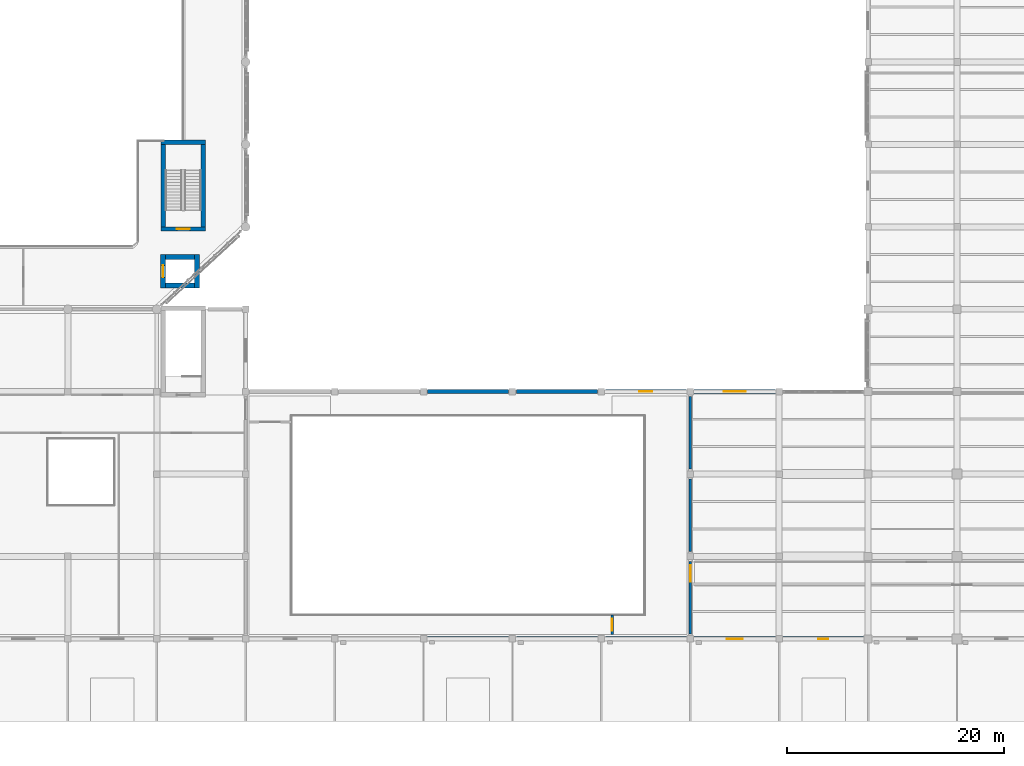
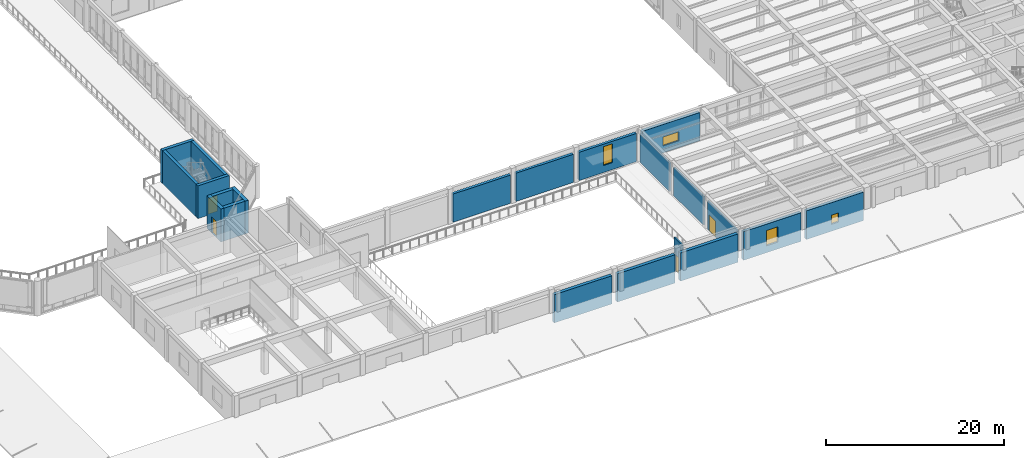
# One storey, part 37 of 57: 21 walls, 4 doors, 4 windows, 8 openings.
"""IFC4 building model written with IfcOpenShell, lengths in metres."""

from ifc_helpers import new_model, si_unit, direction, frame, frame_2d, origin, place, context, subcontext, project, spatial, rectangle, extrude, material, layer, layer_set, type_object, element, fill, save


model = new_model("IFC4")

# Units and contexts
model_context = context("Model", 3, precision=1e-05, world=origin(), true_north=direction((0.0, 1.0)))
body_context = subcontext(model_context, "Body", "Model", "MODEL_VIEW")
ifc_project = project(units=[si_unit("LENGTHUNIT", "METRE"), si_unit("AREAUNIT", "SQUARE_METRE"), si_unit("VOLUMEUNIT", "CUBIC_METRE"), si_unit("PLANEANGLEUNIT", "RADIAN"), si_unit("MASSUNIT", "GRAM", prefix="KILO")], contexts=[model_context])

# Site, building, storey
site_placement = place(None, origin())
site = spatial("IfcSite", under=ifc_project, at=site_placement, CompositionType="ELEMENT")
building_placement = place(site_placement, origin())
building = spatial("IfcBuilding", under=site, at=building_placement, Name="Qandaris Square Conservatory and Botanical Centre", CompositionType="ELEMENT")
storey_placement = place(building_placement, frame((0.0, 0.0, 5.39990234375)))
storey = spatial("IfcBuildingStorey", under=building, at=storey_placement, Name="L01", CompositionType="ELEMENT", Elevation=5.39990234375)

# Wall, opening, window
ifc_material_1 = material(Name="Precast concrete C40/50", Category="concrete")
ifc_layer_1 = layer(ifc_material_1, 0.360107421875)
ifc_layer_set_1 = layer_set([ifc_layer_1], Name="Precast concrete C40/50")
wall_type_1 = type_object("IfcWallType", Name="Architectural Precast Cladding Wall 360mm", PredefinedType="SOLIDWALL", material=ifc_layer_set_1)
wall_1_placement = place(storey_placement, frame((97.840087890625, 39.39990234375, 0.0), z_axis=(0.0, 0.0, 1.0), x_axis=(-1.0, 0.0, 0.0)))
wall_1 = element("IfcWall", 1, at=wall_1_placement, inside=storey, type_object=wall_type_1, Name="Exterior Wall EW-V2-L01-3-1", PredefinedType="SOLIDWALL", context=body_context, shape_type="SweptSolid", body=[
    extrude(rectangle(XDim=7.47998046875, YDim=0.360107421875, at=frame_2d((3.739990234375, 0.0))), origin(), (0.0, 0.0, 1.0), 3.885009765625),
])
opening_1_placement = place(wall_1_placement, frame((3.139892578125, 0.0, 0.949951171875)))
opening_1 = element("IfcOpeningElement", 2, at=opening_1_placement, cuts=wall_1, Name="Opening WN-10", PredefinedType="OPENING", context=body_context, shape_type="SweptSolid", body=[
    extrude(rectangle(XDim=1.199951171875, YDim=2.60009765625, at=frame_2d((0.60009765625, 1.300048828125))), frame((0.0, 0.19189453125, 0.0), z_axis=(0.0, -1.0, 0.0), x_axis=(1.0, 0.0, 0.0)), (0.0, 0.0, 1.0), 0.384033203125),
])
ifc_material_2 = material(Name="Tempered Low-E Glass", Category="glass")
window_type_1 = type_object("IfcWindowType", Name="Auditorium Foyer Tall Lancet Window 1200x2600", PartitioningType="SINGLE_PANEL", PredefinedType="WINDOW", material=ifc_material_2)
window_1_placement = place(opening_1_placement, origin())
window_1 = element("IfcWindow", 3, at=window_1_placement, inside=storey, type_object=window_type_1, Name="Window EW-V2-L01-3-1", OverallHeight=2.60009765625, OverallWidth=1.199951171875, PartitioningType="SINGLE_PANEL", PredefinedType="WINDOW", context=body_context, shape_type="SweptSolid", body=[
    extrude(rectangle(XDim=1.199951171875, YDim=2.60009765625, at=frame_2d((0.60009765625, 1.300048828125))), frame((0.0, 0.030029296875, 0.0), z_axis=(0.0, -1.0, 0.0), x_axis=(1.0, 0.0, 0.0)), (0.0, 0.0, 1.0), 0.06005859375),
])
fill(opening_1, window_1)

# Walls
for number, where, z_axis, x_axis, name in (
    (4, (89.639892578125, 39.39990234375, 0.0), (0.0, 0.0, 1.0), (-1.0, 0.0, 0.0), "Exterior Wall EW-V2-L01-3-2"),
    (5, (81.43994140625, 39.39990234375, 0.0), (0.0, 0.0, 1.0), (-1.0, 0.0, 0.0), "Exterior Wall EW-V2-L01-3-3"),
):
    element("IfcWall", number, at=place(storey_placement, frame(where, z_axis=z_axis, x_axis=x_axis)), inside=storey, type_object=wall_type_1, Name=name, PredefinedType="SOLIDWALL", context=body_context, shape_type="SweptSolid", body=[
        extrude(rectangle(XDim=7.47998046875, YDim=0.360107421875, at=frame_2d((3.739990234375, 0.0))), origin(), (0.0, 0.0, 1.0), 3.885009765625),
    ])

# Wall, opening, door
ifc_material_3 = material(Name="Concrete C40/50", Category="concrete")
ifc_layer_2 = layer(ifc_material_3, 0.199951171875)
ifc_layer_set_2 = layer_set([ifc_layer_2], Name="Concrete C40/50")
wall_type_2 = type_object("IfcWallType", Name="Herbarium & Plant Compartment Wall 200mm", PredefinedType="PARTITIONING", material=ifc_layer_set_2)
wall_2_placement = place(storey_placement, frame((98.199951171875, 17.050048828125, 0.0), z_axis=(0.0, 0.0, 1.0), x_axis=(0.0, 1.0, 0.0)))
wall_2 = element("IfcWall", 6, at=wall_2_placement, inside=storey, type_object=wall_type_2, Name="Compartment Wall PW-V2V4-L01-1", PredefinedType="PARTITIONING", context=body_context, shape_type="SweptSolid", body=[
    extrude(rectangle(XDim=6.699951171875, YDim=0.199951171875, at=frame_2d((3.35009765625, 0.0))), origin(), (0.0, 0.0, 1.0), 3.905029296875),
])
opening_2_placement = place(wall_2_placement, frame((4.820068359375, 0.0, 0.0)))
opening_2 = element("IfcOpeningElement", 7, at=opening_2_placement, cuts=wall_2, Name="Opening D-PLT1", PredefinedType="OPENING", context=body_context, shape_type="SweptSolid", body=[
    extrude(rectangle(XDim=1.5, YDim=2.199951171875, at=frame_2d((0.75, 1.10009765625))), frame((0.0, 0.11181640625, 0.0), z_axis=(0.0, -1.0, 0.0), x_axis=(1.0, 0.0, 0.0)), (0.0, 0.0, 1.0), 0.223876953125),
])
ifc_material_4 = material(Name="Steel S355", Category="steel")
door_type_1 = type_object("IfcDoorType", Name="Plant & Riser Double Fire Door 1500x2200", OperationType="DOUBLE_DOOR_SINGLE_SWING", PredefinedType="DOOR", material=ifc_material_4)
door_1_placement = place(opening_2_placement, origin())
door_1 = element("IfcDoor", 8, at=door_1_placement, inside=storey, type_object=door_type_1, Name="DR-0109 Inter-Volume Connecting Door PVD-L01-V2V4", OperationType="DOUBLE_DOOR_SINGLE_SWING", OverallHeight=2.199951171875, OverallWidth=1.5, PredefinedType="DOOR", context=body_context, shape_type="SweptSolid", body=[
    extrude(rectangle(XDim=1.5, YDim=2.199951171875, at=frame_2d((0.75, 1.10009765625))), frame((0.0, 0.02490234375, 0.0), z_axis=(0.0, -1.0, 0.0), x_axis=(1.0, 0.0, 0.0)), (0.0, 0.0, 1.0), 0.050048828125),
])
fill(opening_2, door_1)

# Walls
wall_3_placement = place(storey_placement, frame((98.199951171875, 24.64990234375, 0.0), z_axis=(0.0, 0.0, 1.0), x_axis=(0.0, 1.0, 0.0)))
element("IfcWall", 9, at=wall_3_placement, inside=storey, type_object=wall_type_2, Name="Compartment Wall PW-V2V4-L01-2", PredefinedType="PARTITIONING", context=body_context, shape_type="SweptSolid", body=[
    extrude(rectangle(XDim=6.7001953125, YDim=0.199951171875, at=frame_2d((3.35009765625, 0.0))), origin(), (0.0, 0.0, 1.0), 3.905029296875),
])
wall_4_placement = place(storey_placement, frame((98.199951171875, 32.25, 0.0), z_axis=(0.0, 0.0, 1.0), x_axis=(0.0, 1.0, 0.0)))
element("IfcWall", 10, at=wall_4_placement, inside=storey, type_object=wall_type_2, Name="Compartment Wall PW-V2V4-L01-3", PredefinedType="PARTITIONING", context=body_context, shape_type="SweptSolid", body=[
    extrude(rectangle(XDim=6.699951171875, YDim=0.199951171875, at=frame_2d((3.35009765625, 0.0))), origin(), (0.0, 0.0, 1.0), 3.905029296875),
])

# Wall, opening, door
wall_5_placement = place(storey_placement, frame((91.0, 18.800048828125, 0.0), z_axis=(0.0, 0.0, 1.0), x_axis=(0.0, -1.0, 0.0)))
wall_5 = element("IfcWall", 11, at=wall_5_placement, inside=storey, type_object=wall_type_2, Name="Interior Partition IW-L01-0126", PredefinedType="PARTITIONING", context=body_context, shape_type="SweptSolid", body=[
    extrude(rectangle(XDim=1.800048828125, YDim=0.199951171875, at=frame_2d((0.89990234375, 0.0))), origin(), (0.0, 0.0, 1.0), 4.405029296875),
])
opening_3_placement = place(wall_5_placement, frame((0.35009765625, 0.0, 0.0)))
opening_3 = element("IfcOpeningElement", 12, at=opening_3_placement, cuts=wall_5, Name="Opening D-FFL", PredefinedType="OPENING", context=body_context, shape_type="SweptSolid", body=[
    extrude(rectangle(XDim=1.10009765625, YDim=2.199951171875, at=frame_2d((0.550048828125, 1.10009765625))), frame((0.0, 0.11181640625, 0.0), z_axis=(0.0, -1.0, 0.0), x_axis=(1.0, 0.0, 0.0)), (0.0, 0.0, 1.0), 0.223876953125),
])
door_type_2 = type_object("IfcDoorType", Name="Firefighting Lobby Smoke-Seal Door 1100x2200", OperationType="NOTDEFINED", PredefinedType="DOOR", material=ifc_material_4)
door_2_placement = place(opening_3_placement, origin())
door_2 = element("IfcDoor", 13, at=door_2_placement, inside=storey, type_object=door_type_2, Name="DR-0093 Auditorium Upper Gallery Door", OperationType="SINGLE_SWING_LEFT", OverallHeight=2.199951171875, OverallWidth=1.10009765625, PredefinedType="DOOR", context=body_context, shape_type="SweptSolid", body=[
    extrude(rectangle(XDim=1.10009765625, YDim=2.199951171875, at=frame_2d((0.550048828125, 1.10009765625))), frame((0.0, 0.02490234375, 0.0), z_axis=(0.0, -1.0, 0.0), x_axis=(1.0, 0.0, 0.0)), (0.0, 0.0, 1.0), 0.050048828125),
])
fill(opening_3, door_2)

# Walls
ifc_layer_3 = layer(ifc_material_3, 0.419921875)
ifc_layer_set_3 = layer_set([ifc_layer_3], Name="Concrete C40/50")
wall_type_3 = type_object("IfcWallType", Name="Insulated Qatari Limestone Cavity Wall 420mm", PredefinedType="SOLIDWALL", material=ifc_layer_set_3)
for number, where, z_axis, x_axis, name in (
    (14, (73.9599609375, 16.60009765625, 0.0), (0.0, 0.0, 1.0), (1.0, 0.0, 0.0), "Exterior Wall EW-V2-L01-1-3"),
    (15, (82.159912109375, 16.60009765625, 0.0), (0.0, 0.0, 1.0), (1.0, 0.0, 0.0), "Exterior Wall EW-V2-L01-1-4"),
    (16, (90.360107421875, 16.60009765625, 0.0), (0.0, 0.0, 1.0), (1.0, 0.0, 0.0), "Exterior Wall EW-V2-L01-1-5"),
):
    element("IfcWall", number, at=place(storey_placement, frame(where, z_axis=z_axis, x_axis=x_axis)), inside=storey, type_object=wall_type_3, Name=name, PredefinedType="SOLIDWALL", context=body_context, shape_type="SweptSolid", body=[
        extrude(rectangle(XDim=7.47998046875, YDim=0.419921875, at=frame_2d((3.739990234375, 0.0))), origin(), (0.0, 0.0, 1.0), 3.885009765625),
    ])

# Wall, opening, window
wall_6_placement = place(storey_placement, frame((98.56005859375, 16.60009765625, 0.0), z_axis=(0.0, 0.0, 1.0), x_axis=(1.0, 0.0, 0.0)))
wall_6 = element("IfcWall", 17, at=wall_6_placement, inside=storey, type_object=wall_type_3, Name="Exterior Wall EW-TWR-L01-1-1", PredefinedType="SOLIDWALL", context=body_context, shape_type="SweptSolid", body=[
    extrude(rectangle(XDim=7.47998046875, YDim=0.419921875, at=frame_2d((3.739990234375, 0.0))), origin(), (0.0, 0.0, 1.0), 3.93017578125),
])
opening_4_placement = place(wall_6_placement, frame((2.989990234375, 0.0, 0.949951171875)))
opening_4 = element("IfcOpeningElement", 18, at=opening_4_placement, cuts=wall_6, Name="Opening WN-02", PredefinedType="OPENING", context=body_context, shape_type="SweptSolid", body=[
    extrude(rectangle(XDim=1.5, YDim=2.10009765625, at=frame_2d((0.75, 1.050048828125))), frame((0.0, 0.221923828125, 0.0), z_axis=(0.0, -1.0, 0.0), x_axis=(1.0, 0.0, 0.0)), (0.0, 0.0, 1.0), 0.44384765625),
])
window_type_2 = type_object("IfcWindowType", Name="Deep-Set Paired Research Window 1500x2100", PartitioningType="DOUBLE_PANEL_VERTICAL", PredefinedType="WINDOW", material=ifc_material_2)
window_2_placement = place(opening_4_placement, origin())
window_2 = element("IfcWindow", 19, at=window_2_placement, inside=storey, type_object=window_type_2, Name="Window EW-TWR-L01-1-1", OverallHeight=2.10009765625, OverallWidth=1.5, PartitioningType="DOUBLE_PANEL_VERTICAL", PredefinedType="WINDOW", context=body_context, shape_type="SweptSolid", body=[
    extrude(rectangle(XDim=1.5, YDim=2.10009765625, at=frame_2d((0.75, 1.050048828125))), frame((0.0, 0.030029296875, 0.0), z_axis=(0.0, -1.0, 0.0), x_axis=(1.0, 0.0, 0.0)), (0.0, 0.0, 1.0), 0.06005859375),
])
fill(opening_4, window_2)

wall_7_placement = place(storey_placement, frame((106.760009765625, 16.60009765625, 0.0), z_axis=(0.0, 0.0, 1.0), x_axis=(1.0, 0.0, 0.0)))
wall_7 = element("IfcWall", 20, at=wall_7_placement, inside=storey, type_object=wall_type_3, Name="Exterior Wall EW-TWR-L01-1-2", PredefinedType="SOLIDWALL", context=body_context, shape_type="SweptSolid", body=[
    extrude(rectangle(XDim=7.405029296875, YDim=0.419921875, at=frame_2d((3.70263671875, 0.0))), origin(), (0.0, 0.0, 1.0), 3.93017578125),
])
opening_5_placement = place(wall_7_placement, frame((3.2275390625, 0.0, 0.949951171875)))
opening_5 = element("IfcOpeningElement", 21, at=opening_5_placement, cuts=wall_7, Name="Opening WN-13", PredefinedType="OPENING", context=body_context, shape_type="SweptSolid", body=[
    extrude(rectangle(XDim=0.949951171875, YDim=1.25, at=frame_2d((0.47509765625, 0.625))), frame((0.0, 0.221923828125, 0.0), z_axis=(0.0, -1.0, 0.0), x_axis=(1.0, 0.0, 0.0)), (0.0, 0.0, 1.0), 0.44384765625),
])
window_type_3 = type_object("IfcWindowType", Name="Solar Control Window 950x1250", PartitioningType="SINGLE_PANEL", PredefinedType="WINDOW", material=ifc_material_2)
window_3_placement = place(opening_5_placement, origin())
window_3 = element("IfcWindow", 22, at=window_3_placement, inside=storey, type_object=window_type_3, Name="Window EW-TWR-L01-1-2", OverallHeight=1.25, OverallWidth=0.949951171875, PartitioningType="SINGLE_PANEL", PredefinedType="WINDOW", context=body_context, shape_type="SweptSolid", body=[
    extrude(rectangle(XDim=0.949951171875, YDim=1.25, at=frame_2d((0.47509765625, 0.625))), frame((0.0, 0.030029296875, 0.0), z_axis=(0.0, -1.0, 0.0), x_axis=(1.0, 0.0, 0.0)), (0.0, 0.0, 1.0), 0.06005859375),
])
fill(opening_5, window_3)

wall_8_placement = place(storey_placement, frame((106.0400390625, 39.39990234375, 0.0), z_axis=(0.0, 0.0, 1.0), x_axis=(-1.0, 0.0, 0.0)))
wall_8 = element("IfcWall", 23, at=wall_8_placement, inside=storey, type_object=wall_type_3, Name="Exterior Wall EW-TWR-L01-5-2", PredefinedType="SOLIDWALL", context=body_context, shape_type="SweptSolid", body=[
    extrude(rectangle(XDim=7.47998046875, YDim=0.419921875, at=frame_2d((3.739990234375, 0.0))), origin(), (0.0, 0.0, 1.0), 3.905029296875),
])
opening_6_placement = place(wall_8_placement, frame((2.715087890625, 0.0, 0.949951171875)))
opening_6 = element("IfcOpeningElement", 24, at=opening_6_placement, cuts=wall_8, Name="Opening WN-33", PredefinedType="OPENING", context=body_context, shape_type="SweptSolid", body=[
    extrude(rectangle(XDim=2.050048828125, YDim=1.25, at=frame_2d((1.02490234375, 0.625))), frame((0.0, 0.221923828125, 0.0), z_axis=(0.0, -1.0, 0.0), x_axis=(1.0, 0.0, 0.0)), (0.0, 0.0, 1.0), 0.44384765625),
])
window_type_4 = type_object("IfcWindowType", Name="Solar Control Window 2050x1250", PartitioningType="DOUBLE_PANEL_VERTICAL", PredefinedType="WINDOW", material=ifc_material_2)
window_4_placement = place(opening_6_placement, origin())
window_4 = element("IfcWindow", 25, at=window_4_placement, inside=storey, type_object=window_type_4, Name="Window EW-TWR-L01-5-2", OverallHeight=1.25, OverallWidth=2.050048828125, PartitioningType="DOUBLE_PANEL_VERTICAL", PredefinedType="WINDOW", context=body_context, shape_type="SweptSolid", body=[
    extrude(rectangle(XDim=2.050048828125, YDim=1.25, at=frame_2d((1.02490234375, 0.625))), frame((0.0, 0.030029296875, 0.0), z_axis=(0.0, -1.0, 0.0), x_axis=(1.0, 0.0, 0.0)), (0.0, 0.0, 1.0), 0.06005859375),
])
fill(opening_6, window_4)

# Walls
ifc_material_5 = material(Name="Concrete C50/60", Category="concrete")
ifc_layer_4 = layer(ifc_material_5, 0.449951171875)
ifc_layer_set_4 = layer_set([ifc_layer_4], Name="Concrete C50/60")
wall_type_4 = type_object("IfcWallType", Name="RC Coupled Core Shear Wall 450mm", PredefinedType="SHEAR", material=ifc_layer_set_4)
for number, where, z_axis, x_axis, name in (
    (26, (49.800048828125, 49.175048828125, 0.0), (0.0, 0.0, 1.0), (1.0, 0.0, 0.0), "Lift CL1 Shaft Wall South (L01)"),
    (27, (49.800048828125, 51.824951171875, 0.0), (0.0, 0.0, 1.0), (1.0, 0.0, 0.0), "Lift CL1 Shaft Wall North (L01)"),
):
    element("IfcWall", number, at=place(storey_placement, frame(where, z_axis=z_axis, x_axis=x_axis)), inside=storey, type_object=wall_type_4, Name=name, PredefinedType="SHEAR", context=body_context, shape_type="SweptSolid", body=[
        extrude(rectangle(XDim=2.699951171875, YDim=0.449951171875, at=frame_2d((1.35009765625, 0.0))), origin(), (0.0, 0.0, 1.0), 4.52001953125),
    ])

# Wall, opening, door
wall_9_placement = place(storey_placement, frame((49.574951171875, 48.949951171875, 0.0), z_axis=(0.0, 0.0, 1.0), x_axis=(0.0, 1.0, 0.0)))
wall_9 = element("IfcWall", 28, at=wall_9_placement, inside=storey, type_object=wall_type_4, Name="Lift CL1 Shaft Wall West (L01)", PredefinedType="SHEAR", context=body_context, shape_type="SweptSolid", body=[
    extrude(rectangle(XDim=3.10009765625, YDim=0.449951171875, at=frame_2d((1.550048828125, 0.0))), origin(), (0.0, 0.0, 1.0), 4.52001953125),
])
opening_7_placement = place(wall_9_placement, frame((1.0, 0.0, 0.0)))
opening_7 = element("IfcOpeningElement", 29, at=opening_7_placement, cuts=wall_9, Name="Opening LD-PAX", PredefinedType="OPENING", context=body_context, shape_type="SweptSolid", body=[
    extrude(rectangle(XDim=1.10009765625, YDim=2.199951171875, at=frame_2d((0.550048828125, 1.10009765625))), frame((0.0, 0.23681640625, 0.0), z_axis=(0.0, -1.0, 0.0), x_axis=(1.0, 0.0, 0.0)), (0.0, 0.0, 1.0), 0.473876953125),
])
ifc_material_6 = material(Name="Anodised Aluminium", Category="aluminium")
door_type_3 = type_object("IfcDoorType", Name="Passenger Lift Sliding Landing Door 1100x2200", OperationType="DOUBLE_DOOR_SLIDING", PredefinedType="DOOR", material=ifc_material_6)
door_3_placement = place(opening_7_placement, origin())
door_3 = element("IfcDoor", 30, at=door_3_placement, inside=storey, type_object=door_type_3, Name="DR-0122 Lift CL1 Landing Door (L01)", OperationType="DOUBLE_DOOR_SLIDING", OverallHeight=2.199951171875, OverallWidth=1.10009765625, PredefinedType="DOOR", context=body_context, shape_type="SweptSolid", body=[
    extrude(rectangle(XDim=1.10009765625, YDim=2.199951171875, at=frame_2d((0.550048828125, 1.10009765625))), frame((0.0, 0.02490234375, 0.0), z_axis=(0.0, -1.0, 0.0), x_axis=(1.0, 0.0, 0.0)), (0.0, 0.0, 1.0), 0.050048828125),
])
fill(opening_7, door_3)

# Wall
wall_10_placement = place(storey_placement, frame((52.72509765625, 48.949951171875, 0.0), z_axis=(0.0, 0.0, 1.0), x_axis=(0.0, 1.0, 0.0)))
element("IfcWall", 31, at=wall_10_placement, inside=storey, type_object=wall_type_4, Name="Lift CL1 Shaft Wall East (L01)", PredefinedType="SHEAR", context=body_context, shape_type="SweptSolid", body=[
    extrude(rectangle(XDim=3.10009765625, YDim=0.449951171875, at=frame_2d((1.550048828125, 0.0))), origin(), (0.0, 0.0, 1.0), 4.52001953125),
])

# Wall, opening, door
ifc_layer_5 = layer(ifc_material_5, 0.39990234375)
ifc_layer_set_5 = layer_set([ifc_layer_5], Name="Concrete C50/60")
wall_type_5 = type_object("IfcWallType", Name="RC Stair Core Shear Wall 400mm", PredefinedType="SHEAR", material=ifc_layer_set_5)
wall_11_placement = place(storey_placement, frame((49.39990234375, 54.39990234375, 0.0), z_axis=(0.0, 0.0, 1.0), x_axis=(1.0, 0.0, 0.0)))
wall_11 = element("IfcWall", 32, at=wall_11_placement, inside=storey, type_object=wall_type_5, Name="ST-5 Core Shear Wall South (L01)", PredefinedType="SHEAR", context=body_context, shape_type="SweptSolid", body=[
    extrude(rectangle(XDim=4.10009765625, YDim=0.39990234375, at=frame_2d((2.050048828125, 0.0))), origin(), (0.0, 0.0, 1.0), 4.52001953125),
])
opening_8_placement = place(wall_11_placement, frame((1.449951171875, 0.0, 0.0)))
opening_8 = element("IfcOpeningElement", 33, at=opening_8_placement, cuts=wall_11, Name="Opening D-ST1", PredefinedType="OPENING", context=body_context, shape_type="SweptSolid", body=[
    extrude(rectangle(XDim=1.199951171875, YDim=2.199951171875, at=frame_2d((0.60009765625, 1.10009765625))), frame((0.0, 0.2119140625, 0.0), z_axis=(0.0, -1.0, 0.0), x_axis=(1.0, 0.0, 0.0)), (0.0, 0.0, 1.0), 0.423828125),
])
door_type_4 = type_object("IfcDoorType", Name="Exit Stair Core Fire Door 1200x2200", OperationType="NOTDEFINED", PredefinedType="DOOR", material=ifc_material_4)
door_4_placement = place(opening_8_placement, origin())
door_4 = element("IfcDoor", 34, at=door_4_placement, inside=storey, type_object=door_type_4, Name="DR-0114 ST-5 Stair Core Door (L01)", OperationType="SINGLE_SWING_RIGHT", OverallHeight=2.199951171875, OverallWidth=1.199951171875, PredefinedType="DOOR", context=body_context, shape_type="SweptSolid", body=[
    extrude(rectangle(XDim=1.199951171875, YDim=2.199951171875, at=frame_2d((0.60009765625, 1.10009765625))), frame((0.0, 0.02490234375, 0.0), z_axis=(0.0, -1.0, 0.0), x_axis=(1.0, 0.0, 0.0)), (0.0, 0.0, 1.0), 0.050048828125),
])
fill(opening_8, door_4)

# Walls
wall_12_placement = place(storey_placement, frame((49.39990234375, 62.39990234375, 0.0), z_axis=(0.0, 0.0, 1.0), x_axis=(1.0, 0.0, 0.0)))
element("IfcWall", 35, at=wall_12_placement, inside=storey, type_object=wall_type_5, Name="ST-5 Core Shear Wall North (L01)", PredefinedType="SHEAR", context=body_context, shape_type="SweptSolid", body=[
    extrude(rectangle(XDim=4.10009765625, YDim=0.39990234375, at=frame_2d((2.050048828125, 0.0))), origin(), (0.0, 0.0, 1.0), 4.52001953125),
])
for number, where, z_axis, x_axis, name in (
    (36, (49.60009765625, 54.60009765625, 0.0), (0.0, 0.0, 1.0), (0.0, 1.0, 0.0), "ST-5 Core Shear Wall West (L01)"),
    (37, (53.300048828125, 54.60009765625, 0.0), (0.0, 0.0, 1.0), (0.0, 1.0, 0.0), "ST-5 Core Shear Wall East (L01)"),
):
    element("IfcWall", number, at=place(storey_placement, frame(where, z_axis=z_axis, x_axis=x_axis)), inside=storey, type_object=wall_type_5, Name=name, PredefinedType="SHEAR", context=body_context, shape_type="SweptSolid", body=[
        extrude(rectangle(XDim=7.599853515625, YDim=0.39990234375, at=frame_2d((3.7998046875, 0.0))), origin(), (0.0, 0.0, 1.0), 4.52001953125),
    ])

save(model, "model.ifc")
